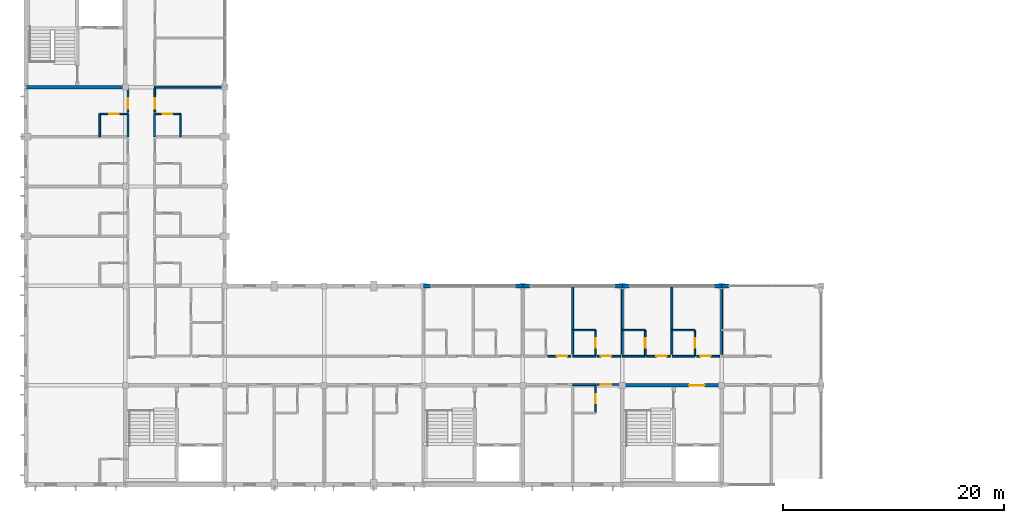
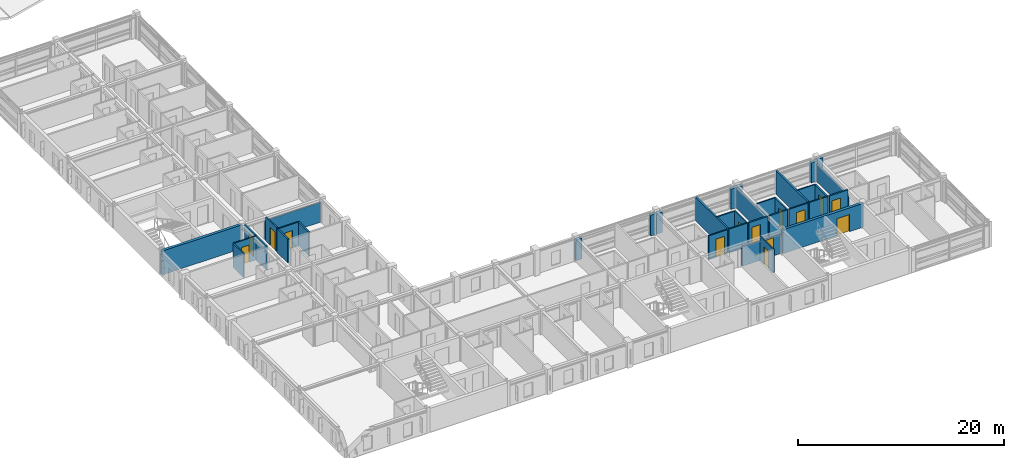
# One storey, part 21 of 37: 38 walls, 14 doors, 14 openings.
"""IFC4 building model written with IfcOpenShell, lengths in metres."""

from ifc_helpers import new_model, si_unit, direction, frame, frame_2d, origin, place, context, subcontext, project, spatial, rectangle, extrude, material, layer, layer_set, type_object, element, fill, save


model = new_model("IFC4")

# Units and contexts
model_context = context("Model", 3, precision=1e-05, world=origin(), true_north=direction((0.0, 1.0)))
body_context = subcontext(model_context, "Body", "Model", "MODEL_VIEW")
ifc_project = project(units=[si_unit("LENGTHUNIT", "METRE"), si_unit("AREAUNIT", "SQUARE_METRE"), si_unit("VOLUMEUNIT", "CUBIC_METRE"), si_unit("PLANEANGLEUNIT", "RADIAN"), si_unit("MASSUNIT", "GRAM", prefix="KILO")], contexts=[model_context])

# Site, building, storey
site_placement = place(None, origin())
site = spatial("IfcSite", under=ifc_project, at=site_placement, CompositionType="ELEMENT")
building_placement = place(site_placement, origin())
building = spatial("IfcBuilding", under=site, at=building_placement, Name="Palais des Congres Ocreval", CompositionType="ELEMENT")
storey_placement = place(building_placement, frame((0.0, 0.0, 11.52001953125)))
storey = spatial("IfcBuildingStorey", under=building, at=storey_placement, Name="L03", CompositionType="ELEMENT", Elevation=11.52001953125)

# Wall, opening, door
ifc_material_1 = material(Name="Moisture-resistant gypsum board")
ifc_layer_1 = layer(ifc_material_1, 0.139892578125)
ifc_layer_set_1 = layer_set([ifc_layer_1], Name="Bathroom Plumbing Chase Wall 140 Gypsum (Moisture-resistant gypsum board)")
wall_type_1 = type_object("IfcWallType", Name="Bathroom Plumbing Chase Wall 140 Gypsum", PredefinedType="PLUMBINGWALL", material=ifc_layer_set_1)
wall_1_placement = place(storey_placement, frame((51.580078125, 6.5, 0.0), z_axis=(0.0, 0.0, 1.0), x_axis=(0.0, 1.0, 0.0)))
wall_1 = element("IfcWall", 1, at=wall_1_placement, inside=storey, type_object=wall_type_1, Name="Bathroom Plumbing Wall PW03 L03", PredefinedType="PLUMBINGWALL", context=body_context, shape_type="SweptSolid", body=[
    extrude(rectangle(XDim=2.56005859375, YDim=0.139892578125, at=frame_2d((1.280029296875, 0.0))), origin(), (0.0, 0.0, 1.0), 2.820068359375),
])
opening_1_placement = place(wall_1_placement, frame((0.85498046875, 0.0, 0.0)))
opening_1 = element("IfcOpeningElement", 2, at=opening_1_placement, cuts=wall_1, Name="Opening D08", PredefinedType="OPENING", context=body_context, shape_type="SweptSolid", body=[
    extrude(rectangle(XDim=0.85009765625, YDim=2.0400390625, at=frame_2d((0.425048828125, 1.02001953125))), frame((0.0, 0.079833984375, 0.0), z_axis=(0.0, -1.0, 0.0), x_axis=(1.0, 0.0, 0.0)), (0.0, 0.0, 1.0), 0.159912109375),
])
ifc_material_2 = material(Name="Solid French oak", Category="wood")
door_type_1 = type_object("IfcDoorType", Name="En-Suite Bathroom Door 850x2040", OperationType="NOTDEFINED", PredefinedType="DOOR", material=ifc_material_2)
door_1_placement = place(opening_1_placement, origin())
door_1 = element("IfcDoor", 3, at=door_1_placement, inside=storey, type_object=door_type_1, Name="En-Suite Bathroom Door D08 L03", OperationType="SINGLE_SWING_LEFT", OverallHeight=2.0400390625, OverallWidth=0.85009765625, PredefinedType="DOOR", context=body_context, shape_type="SweptSolid", body=[
    extrude(rectangle(XDim=0.85009765625, YDim=2.0400390625, at=frame_2d((0.425048828125, 1.02001953125))), frame((0.0, 0.02490234375, 0.0), z_axis=(0.0, -1.0, 0.0), x_axis=(1.0, 0.0, 0.0)), (0.0, 0.0, 1.0), 0.050048828125),
])
fill(opening_1, door_1)

wall_2_placement = place(storey_placement, frame((51.580078125, 11.639892578125, 0.0), z_axis=(0.0, 0.0, 1.0), x_axis=(0.0, 1.0, 0.0)))
wall_2 = element("IfcWall", 4, at=wall_2_placement, inside=storey, type_object=wall_type_1, Name="Bathroom Plumbing Wall PW03 L03", PredefinedType="PLUMBINGWALL", context=body_context, shape_type="SweptSolid", body=[
    extrude(rectangle(XDim=2.360107421875, YDim=0.139892578125, at=frame_2d((1.18017578125, 0.0))), origin(), (0.0, 0.0, 1.0), 2.820068359375),
])
opening_2_placement = place(wall_2_placement, frame((0.7548828125, 0.0, 0.0)))
opening_2 = element("IfcOpeningElement", 5, at=opening_2_placement, cuts=wall_2, Name="Opening D08", PredefinedType="OPENING", context=body_context, shape_type="SweptSolid", body=[
    extrude(rectangle(XDim=0.85009765625, YDim=2.0400390625, at=frame_2d((0.425048828125, 1.02001953125))), frame((0.0, 0.079833984375, 0.0), z_axis=(0.0, -1.0, 0.0), x_axis=(1.0, 0.0, 0.0)), (0.0, 0.0, 1.0), 0.159912109375),
])
door_2_placement = place(opening_2_placement, origin())
door_2 = element("IfcDoor", 6, at=door_2_placement, inside=storey, type_object=door_type_1, Name="En-Suite Bathroom Door D08 L03", OperationType="SINGLE_SWING_LEFT", OverallHeight=2.0400390625, OverallWidth=0.85009765625, PredefinedType="DOOR", context=body_context, shape_type="SweptSolid", body=[
    extrude(rectangle(XDim=0.85009765625, YDim=2.0400390625, at=frame_2d((0.425048828125, 1.02001953125))), frame((0.0, 0.02490234375, 0.0), z_axis=(0.0, -1.0, 0.0), x_axis=(1.0, 0.0, 0.0)), (0.0, 0.0, 1.0), 0.050048828125),
])
fill(opening_2, door_2)

# Wall
wall_3_placement = place(storey_placement, frame((49.52001953125, 14.0, 0.0), z_axis=(0.0, 0.0, 1.0), x_axis=(1.0, 0.0, 0.0)))
element("IfcWall", 7, at=wall_3_placement, inside=storey, type_object=wall_type_1, Name="Bathroom Plumbing Wall PW03 L03", PredefinedType="PLUMBINGWALL", context=body_context, shape_type="SweptSolid", body=[
    extrude(rectangle(XDim=2.06005859375, YDim=0.139892578125, at=frame_2d((1.030029296875, 0.0))), origin(), (0.0, 0.0, 1.0), 2.820068359375),
])

# Wall, opening, door
wall_4_placement = place(storey_placement, frame((56.080078125, 11.639892578125, 0.0), z_axis=(0.0, 0.0, 1.0), x_axis=(0.0, 1.0, 0.0)))
wall_4 = element("IfcWall", 8, at=wall_4_placement, inside=storey, type_object=wall_type_1, Name="Bathroom Plumbing Wall PW03 L03", PredefinedType="PLUMBINGWALL", context=body_context, shape_type="SweptSolid", body=[
    extrude(rectangle(XDim=2.360107421875, YDim=0.139892578125, at=frame_2d((1.18017578125, 0.0))), origin(), (0.0, 0.0, 1.0), 2.820068359375),
])
opening_3_placement = place(wall_4_placement, frame((0.7548828125, 0.0, 0.0)))
opening_3 = element("IfcOpeningElement", 9, at=opening_3_placement, cuts=wall_4, Name="Opening D08", PredefinedType="OPENING", context=body_context, shape_type="SweptSolid", body=[
    extrude(rectangle(XDim=0.85009765625, YDim=2.0400390625, at=frame_2d((0.425048828125, 1.02001953125))), frame((0.0, 0.079833984375, 0.0), z_axis=(0.0, -1.0, 0.0), x_axis=(1.0, 0.0, 0.0)), (0.0, 0.0, 1.0), 0.159912109375),
])
door_3_placement = place(opening_3_placement, origin())
door_3 = element("IfcDoor", 10, at=door_3_placement, inside=storey, type_object=door_type_1, Name="En-Suite Bathroom Door D08 L03", OperationType="SINGLE_SWING_RIGHT", OverallHeight=2.0400390625, OverallWidth=0.85009765625, PredefinedType="DOOR", context=body_context, shape_type="SweptSolid", body=[
    extrude(rectangle(XDim=0.85009765625, YDim=2.0400390625, at=frame_2d((0.425048828125, 1.02001953125))), frame((0.0, 0.02490234375, 0.0), z_axis=(0.0, -1.0, 0.0), x_axis=(1.0, 0.0, 0.0)), (0.0, 0.0, 1.0), 0.050048828125),
])
fill(opening_3, door_3)

# Wall
wall_5_placement = place(storey_placement, frame((54.02001953125, 14.0, 0.0), z_axis=(0.0, 0.0, 1.0), x_axis=(1.0, 0.0, 0.0)))
element("IfcWall", 11, at=wall_5_placement, inside=storey, type_object=wall_type_1, Name="Bathroom Plumbing Wall PW03 L03", PredefinedType="PLUMBINGWALL", context=body_context, shape_type="SweptSolid", body=[
    extrude(rectangle(XDim=2.06005859375, YDim=0.139892578125, at=frame_2d((1.030029296875, 0.0))), origin(), (0.0, 0.0, 1.0), 2.820068359375),
])

# Wall, opening, door
wall_6_placement = place(storey_placement, frame((60.580078125, 11.639892578125, 0.0), z_axis=(0.0, 0.0, 1.0), x_axis=(0.0, 1.0, 0.0)))
wall_6 = element("IfcWall", 12, at=wall_6_placement, inside=storey, type_object=wall_type_1, Name="Bathroom Plumbing Wall PW03 L03", PredefinedType="PLUMBINGWALL", context=body_context, shape_type="SweptSolid", body=[
    extrude(rectangle(XDim=2.360107421875, YDim=0.139892578125, at=frame_2d((1.18017578125, 0.0))), origin(), (0.0, 0.0, 1.0), 2.820068359375),
])
opening_4_placement = place(wall_6_placement, frame((0.7548828125, 0.0, 0.0)))
opening_4 = element("IfcOpeningElement", 13, at=opening_4_placement, cuts=wall_6, Name="Opening D08", PredefinedType="OPENING", context=body_context, shape_type="SweptSolid", body=[
    extrude(rectangle(XDim=0.85009765625, YDim=2.0400390625, at=frame_2d((0.425048828125, 1.02001953125))), frame((0.0, 0.079833984375, 0.0), z_axis=(0.0, -1.0, 0.0), x_axis=(1.0, 0.0, 0.0)), (0.0, 0.0, 1.0), 0.159912109375),
])
door_4_placement = place(opening_4_placement, origin())
door_4 = element("IfcDoor", 14, at=door_4_placement, inside=storey, type_object=door_type_1, Name="En-Suite Bathroom Door D08 L03", OperationType="SINGLE_SWING_LEFT", OverallHeight=2.0400390625, OverallWidth=0.85009765625, PredefinedType="DOOR", context=body_context, shape_type="SweptSolid", body=[
    extrude(rectangle(XDim=0.85009765625, YDim=2.0400390625, at=frame_2d((0.425048828125, 1.02001953125))), frame((0.0, 0.02490234375, 0.0), z_axis=(0.0, -1.0, 0.0), x_axis=(1.0, 0.0, 0.0)), (0.0, 0.0, 1.0), 0.050048828125),
])
fill(opening_4, door_4)

# Wall
wall_7_placement = place(storey_placement, frame((58.52001953125, 14.0, 0.0), z_axis=(0.0, 0.0, 1.0), x_axis=(1.0, 0.0, 0.0)))
element("IfcWall", 15, at=wall_7_placement, inside=storey, type_object=wall_type_1, Name="Bathroom Plumbing Wall PW03 L03", PredefinedType="PLUMBINGWALL", context=body_context, shape_type="SweptSolid", body=[
    extrude(rectangle(XDim=2.06005859375, YDim=0.139892578125, at=frame_2d((1.030029296875, 0.0))), origin(), (0.0, 0.0, 1.0), 2.820068359375),
])

# Wall, opening, door
wall_8_placement = place(storey_placement, frame((6.679931640625, 33.580078125, 0.0), z_axis=(0.0, 0.0, 1.0), x_axis=(1.0, 0.0, 0.0)))
wall_8 = element("IfcWall", 16, at=wall_8_placement, inside=storey, type_object=wall_type_1, Name="Bathroom Plumbing Wall PW03 L03", PredefinedType="PLUMBINGWALL", context=body_context, shape_type="SweptSolid", body=[
    extrude(rectangle(XDim=2.56005859375, YDim=0.139892578125, at=frame_2d((1.280029296875, 0.0))), origin(), (0.0, 0.0, 1.0), 2.820068359375),
])
opening_5_placement = place(wall_8_placement, frame((0.85498046875, 0.0, 0.0)))
opening_5 = element("IfcOpeningElement", 17, at=opening_5_placement, cuts=wall_8, Name="Opening D08", PredefinedType="OPENING", context=body_context, shape_type="SweptSolid", body=[
    extrude(rectangle(XDim=0.85009765625, YDim=2.0400390625, at=frame_2d((0.425048828125, 1.02001953125))), frame((0.0, 0.079833984375, 0.0), z_axis=(0.0, -1.0, 0.0), x_axis=(1.0, 0.0, 0.0)), (0.0, 0.0, 1.0), 0.159912109375),
])
door_5_placement = place(opening_5_placement, origin())
door_5 = element("IfcDoor", 18, at=door_5_placement, inside=storey, type_object=door_type_1, Name="En-Suite Bathroom Door D08 L03", OperationType="SINGLE_SWING_RIGHT", OverallHeight=2.0400390625, OverallWidth=0.85009765625, PredefinedType="DOOR", context=body_context, shape_type="SweptSolid", body=[
    extrude(rectangle(XDim=0.85009765625, YDim=2.0400390625, at=frame_2d((0.425048828125, 1.02001953125))), frame((0.0, 0.02490234375, 0.0), z_axis=(0.0, -1.0, 0.0), x_axis=(1.0, 0.0, 0.0)), (0.0, 0.0, 1.0), 0.050048828125),
])
fill(opening_5, door_5)

# Wall
wall_9_placement = place(storey_placement, frame((6.679931640625, 31.52001953125, 0.0), z_axis=(0.0, 0.0, 1.0), x_axis=(0.0, 1.0, 0.0)))
element("IfcWall", 19, at=wall_9_placement, inside=storey, type_object=wall_type_1, Name="Bathroom Plumbing Wall PW03 L03", PredefinedType="PLUMBINGWALL", context=body_context, shape_type="SweptSolid", body=[
    extrude(rectangle(XDim=2.06005859375, YDim=0.139892578125, at=frame_2d((1.030029296875, 0.0))), origin(), (0.0, 0.0, 1.0), 2.820068359375),
])

# Wall, opening, door
wall_10_placement = place(storey_placement, frame((11.639892578125, 33.580078125, 0.0), z_axis=(0.0, 0.0, 1.0), x_axis=(1.0, 0.0, 0.0)))
wall_10 = element("IfcWall", 20, at=wall_10_placement, inside=storey, type_object=wall_type_1, Name="Bathroom Plumbing Wall PW03 L03", PredefinedType="PLUMBINGWALL", context=body_context, shape_type="SweptSolid", body=[
    extrude(rectangle(XDim=2.360107421875, YDim=0.139892578125, at=frame_2d((1.18017578125, 0.0))), origin(), (0.0, 0.0, 1.0), 2.820068359375),
])
opening_6_placement = place(wall_10_placement, frame((0.7548828125, 0.0, 0.0)))
opening_6 = element("IfcOpeningElement", 21, at=opening_6_placement, cuts=wall_10, Name="Opening D08", PredefinedType="OPENING", context=body_context, shape_type="SweptSolid", body=[
    extrude(rectangle(XDim=0.85009765625, YDim=2.0400390625, at=frame_2d((0.425048828125, 1.02001953125))), frame((0.0, 0.079833984375, 0.0), z_axis=(0.0, -1.0, 0.0), x_axis=(1.0, 0.0, 0.0)), (0.0, 0.0, 1.0), 0.159912109375),
])
door_6_placement = place(opening_6_placement, origin())
door_6 = element("IfcDoor", 22, at=door_6_placement, inside=storey, type_object=door_type_1, Name="En-Suite Bathroom Door D08 L03", OperationType="SINGLE_SWING_RIGHT", OverallHeight=2.0400390625, OverallWidth=0.85009765625, PredefinedType="DOOR", context=body_context, shape_type="SweptSolid", body=[
    extrude(rectangle(XDim=0.85009765625, YDim=2.0400390625, at=frame_2d((0.425048828125, 1.02001953125))), frame((0.0, 0.02490234375, 0.0), z_axis=(0.0, -1.0, 0.0), x_axis=(1.0, 0.0, 0.0)), (0.0, 0.0, 1.0), 0.050048828125),
])
fill(opening_6, door_6)

# Walls
wall_11_placement = place(storey_placement, frame((14.0, 31.52001953125, 0.0), z_axis=(0.0, 0.0, 1.0), x_axis=(0.0, 1.0, 0.0)))
element("IfcWall", 23, at=wall_11_placement, inside=storey, type_object=wall_type_1, Name="Bathroom Plumbing Wall PW03 L03", PredefinedType="PLUMBINGWALL", context=body_context, shape_type="SweptSolid", body=[
    extrude(rectangle(XDim=2.06005859375, YDim=0.139892578125, at=frame_2d((1.030029296875, 0.0))), origin(), (0.0, 0.0, 1.0), 2.820068359375),
])
ifc_material_3 = material(Name="Concrete C40/50", Category="concrete")
ifc_layer_2 = layer(ifc_material_3, 0.300048828125)
ifc_layer_set_2 = layer_set([ifc_layer_2], Name="Core Shear Wall 300 Concrete C40/50")
wall_type_2 = type_object("IfcWallType", Name="Core Shear Wall 300 Concrete C40/50", PredefinedType="SHEAR", material=ifc_layer_set_2)
wall_12_placement = place(storey_placement, frame((0.0, 36.0, 0.0), z_axis=(0.0, 0.0, 1.0), x_axis=(1.0, 0.0, 0.0)))
element("IfcWall", 24, at=wall_12_placement, inside=storey, type_object=wall_type_2, Name="Core Shear Wall SC03 L03 S", PredefinedType="SHEAR", context=body_context, shape_type="SweptSolid", body=[
    extrude(rectangle(XDim=9.0, YDim=0.300048828125, at=frame_2d((4.5, 0.0))), origin(), (0.0, 0.0, 1.0), 2.820068359375),
])

# Wall, opening, door
wall_13_placement = place(storey_placement, frame((54.0, 9.0, 0.0), z_axis=(0.0, 0.0, 1.0), x_axis=(1.0, 0.0, 0.0)))
wall_13 = element("IfcWall", 25, at=wall_13_placement, inside=storey, type_object=wall_type_2, Name="Core Shear Wall SC04 L03 N", PredefinedType="SHEAR", context=body_context, shape_type="SweptSolid", body=[
    extrude(rectangle(XDim=9.0, YDim=0.300048828125, at=frame_2d((4.5, 0.0))), origin(), (0.0, 0.0, 1.0), 2.820068359375),
])
opening_7_placement = place(wall_13_placement, frame((6.050048828125, 0.0, 0.0)))
opening_7 = element("IfcOpeningElement", 26, at=opening_7_placement, cuts=wall_13, Name="Opening D03", PredefinedType="OPENING", context=body_context, shape_type="SweptSolid", body=[
    extrude(rectangle(XDim=1.39990234375, YDim=2.02001953125, at=frame_2d((0.699951171875, 1.010009765625))), frame((0.0, 0.159912109375, 0.0), z_axis=(0.0, -1.0, 0.0), x_axis=(1.0, 0.0, 0.0)), (0.0, 0.0, 1.0), 0.320068359375),
])
ifc_material_4 = material(Name="Painted fire-rated steel", Category="steel")
door_type_2 = type_object("IfcDoorType", Name="Core Lobby Rated Door 1400x2020", OperationType="NOTDEFINED", PredefinedType="DOOR", material=ifc_material_4)
door_7_placement = place(opening_7_placement, origin())
door_7 = element("IfcDoor", 27, at=door_7_placement, inside=storey, type_object=door_type_2, Name="Lobby Entrance Door SC04 L03", OperationType="DOUBLE_DOOR_SINGLE_SWING", OverallHeight=2.02001953125, OverallWidth=1.39990234375, PredefinedType="DOOR", context=body_context, shape_type="SweptSolid", body=[
    extrude(rectangle(XDim=1.39990234375, YDim=2.02001953125, at=frame_2d((0.699951171875, 1.010009765625))), frame((0.0, 0.02490234375, 0.0), z_axis=(0.0, -1.0, 0.0), x_axis=(1.0, 0.0, 0.0)), (0.0, 0.0, 1.0), 0.050048828125),
])
fill(opening_7, door_7)

# Walls
ifc_material_5 = material(Name="Gypsum acoustic partition")
ifc_layer_3 = layer(ifc_material_5, 0.159912109375)
ifc_layer_set_3 = layer_set([ifc_layer_3], Name="Corridor Fire Partition 160 Gypsum (Gypsum acoustic partition)")
wall_type_3 = type_object("IfcWallType", Name="Corridor Fire Partition 160 Gypsum", PredefinedType="PARTITIONING", material=ifc_layer_set_3)
wall_14_placement = place(storey_placement, frame((49.52001953125, 9.06005859375, 0.0), z_axis=(0.0, 0.0, 1.0), x_axis=(1.0, 0.0, 0.0)))
element("IfcWall", 28, at=wall_14_placement, inside=storey, type_object=wall_type_3, Name="Corridor Partition IW03 L03", PredefinedType="PARTITIONING", context=body_context, shape_type="SweptSolid", body=[
    extrude(rectangle(XDim=2.06005859375, YDim=0.159912109375, at=frame_2d((1.030029296875, 0.0))), origin(), (0.0, 0.0, 1.0), 2.2900390625),
])
for number, where, z_axis, x_axis, name in (
    (29, (49.52001953125, 11.639892578125, 0.0), (0.0, 0.0, 1.0), (1.0, 0.0, 0.0), "Corridor Partition IW03 L03"),
    (30, (54.02001953125, 11.639892578125, 0.0), (0.0, 0.0, 1.0), (1.0, 0.0, 0.0), "Corridor Partition IW03 L03"),
    (31, (58.52001953125, 11.639892578125, 0.0), (0.0, 0.0, 1.0), (1.0, 0.0, 0.0), "Corridor Partition IW03 L03"),
    (32, (9.239990234375, 31.52001953125, 0.0), (0.0, 0.0, 1.0), (0.0, 1.0, 0.0), "Corridor Partition IW03 L03"),
    (33, (11.639892578125, 31.52001953125, 0.0), (0.0, 0.0, 1.0), (0.0, 1.0, 0.0), "Corridor Partition IW03 L03"),
):
    element("IfcWall", number, at=place(storey_placement, frame(where, z_axis=z_axis, x_axis=x_axis)), inside=storey, type_object=wall_type_3, Name=name, PredefinedType="PARTITIONING", context=body_context, shape_type="SweptSolid", body=[
        extrude(rectangle(XDim=2.06005859375, YDim=0.159912109375, at=frame_2d((1.030029296875, 0.0))), origin(), (0.0, 0.0, 1.0), 2.820068359375),
    ])

# Wall, opening, door
wall_15_placement = place(storey_placement, frame((51.735107421875, 9.06494140625, 0.0), z_axis=(0.0, 0.0, 1.0), x_axis=(1.0, 0.0, 0.0)))
wall_15 = element("IfcWall", 34, at=wall_15_placement, inside=storey, type_object=wall_type_3, Name="Interior Partition IW03 L03", PredefinedType="PARTITIONING", context=body_context, shape_type="SweptSolid", body=[
    extrude(rectangle(XDim=2.10986328125, YDim=0.159912109375, at=frame_2d((1.054931640625, 0.0))), origin(), (0.0, 0.0, 1.0), 2.2900390625),
])
opening_8_placement = place(wall_15_placement, frame((0.326904296875, 0.0, 0.0)))
opening_8 = element("IfcOpeningElement", 35, at=opening_8_placement, cuts=wall_15, Name="Opening D05", PredefinedType="OPENING", context=body_context, shape_type="SweptSolid", body=[
    extrude(rectangle(XDim=0.949951171875, YDim=2.14990234375, at=frame_2d((0.47509765625, 1.074951171875))), frame((0.0, 0.08984375, 0.0), z_axis=(0.0, -1.0, 0.0), x_axis=(1.0, 0.0, 0.0)), (0.0, 0.0, 1.0), 0.179931640625),
])
door_type_3 = type_object("IfcDoorType", Name="Hotel Guestroom Entrance Door 950x2150", OperationType="NOTDEFINED", PredefinedType="DOOR", material=ifc_material_2)
door_8_placement = place(opening_8_placement, origin())
door_8 = element("IfcDoor", 36, at=door_8_placement, inside=storey, type_object=door_type_3, Name="Interior Door D05 L03", OperationType="SINGLE_SWING_RIGHT", OverallHeight=2.14990234375, OverallWidth=0.949951171875, PredefinedType="DOOR", context=body_context, shape_type="SweptSolid", body=[
    extrude(rectangle(XDim=0.949951171875, YDim=2.14990234375, at=frame_2d((0.47509765625, 1.074951171875))), frame((0.0, 0.02490234375, 0.0), z_axis=(0.0, -1.0, 0.0), x_axis=(1.0, 0.0, 0.0)), (0.0, 0.0, 1.0), 0.050048828125),
])
fill(opening_8, door_8)

wall_16_placement = place(storey_placement, frame((47.235107421875, 11.635009765625, 0.0), z_axis=(0.0, 0.0, 1.0), x_axis=(1.0, 0.0, 0.0)))
wall_16 = element("IfcWall", 37, at=wall_16_placement, inside=storey, type_object=wall_type_3, Name="Interior Partition IW03 L03", PredefinedType="PARTITIONING", context=body_context, shape_type="SweptSolid", body=[
    extrude(rectangle(XDim=2.10986328125, YDim=0.159912109375, at=frame_2d((1.054931640625, 0.0))), origin(), (0.0, 0.0, 1.0), 2.820068359375),
])
opening_9_placement = place(wall_16_placement, frame((0.833251953125, 0.0, 0.0)))
opening_9 = element("IfcOpeningElement", 38, at=opening_9_placement, cuts=wall_16, Name="Opening D05", PredefinedType="OPENING", context=body_context, shape_type="SweptSolid", body=[
    extrude(rectangle(XDim=0.949951171875, YDim=2.14990234375, at=frame_2d((0.47509765625, 1.074951171875))), frame((0.0, 0.08984375, 0.0), z_axis=(0.0, -1.0, 0.0), x_axis=(1.0, 0.0, 0.0)), (0.0, 0.0, 1.0), 0.179931640625),
])
door_9_placement = place(opening_9_placement, origin())
door_9 = element("IfcDoor", 39, at=door_9_placement, inside=storey, type_object=door_type_3, Name="Interior Door D05 L03", OperationType="SINGLE_SWING_LEFT", OverallHeight=2.14990234375, OverallWidth=0.949951171875, PredefinedType="DOOR", context=body_context, shape_type="SweptSolid", body=[
    extrude(rectangle(XDim=0.949951171875, YDim=2.14990234375, at=frame_2d((0.47509765625, 1.074951171875))), frame((0.0, 0.02490234375, 0.0), z_axis=(0.0, -1.0, 0.0), x_axis=(1.0, 0.0, 0.0)), (0.0, 0.0, 1.0), 0.050048828125),
])
fill(opening_9, door_9)

wall_17_placement = place(storey_placement, frame((51.735107421875, 11.635009765625, 0.0), z_axis=(0.0, 0.0, 1.0), x_axis=(1.0, 0.0, 0.0)))
wall_17 = element("IfcWall", 40, at=wall_17_placement, inside=storey, type_object=wall_type_3, Name="Interior Partition IW03 L03", PredefinedType="PARTITIONING", context=body_context, shape_type="SweptSolid", body=[
    extrude(rectangle(XDim=2.10986328125, YDim=0.159912109375, at=frame_2d((1.054931640625, 0.0))), origin(), (0.0, 0.0, 1.0), 2.820068359375),
])
opening_10_placement = place(wall_17_placement, frame((0.326904296875, 0.0, 0.0)))
opening_10 = element("IfcOpeningElement", 41, at=opening_10_placement, cuts=wall_17, Name="Opening D05", PredefinedType="OPENING", context=body_context, shape_type="SweptSolid", body=[
    extrude(rectangle(XDim=0.949951171875, YDim=2.14990234375, at=frame_2d((0.47509765625, 1.074951171875))), frame((0.0, 0.08984375, 0.0), z_axis=(0.0, -1.0, 0.0), x_axis=(1.0, 0.0, 0.0)), (0.0, 0.0, 1.0), 0.179931640625),
])
door_10_placement = place(opening_10_placement, origin())
door_10 = element("IfcDoor", 42, at=door_10_placement, inside=storey, type_object=door_type_3, Name="Interior Door D05 L03", OperationType="SINGLE_SWING_RIGHT", OverallHeight=2.14990234375, OverallWidth=0.949951171875, PredefinedType="DOOR", context=body_context, shape_type="SweptSolid", body=[
    extrude(rectangle(XDim=0.949951171875, YDim=2.14990234375, at=frame_2d((0.47509765625, 1.074951171875))), frame((0.0, 0.02490234375, 0.0), z_axis=(0.0, -1.0, 0.0), x_axis=(1.0, 0.0, 0.0)), (0.0, 0.0, 1.0), 0.050048828125),
])
fill(opening_10, door_10)

wall_18_placement = place(storey_placement, frame((56.235107421875, 11.635009765625, 0.0), z_axis=(0.0, 0.0, 1.0), x_axis=(1.0, 0.0, 0.0)))
wall_18 = element("IfcWall", 43, at=wall_18_placement, inside=storey, type_object=wall_type_3, Name="Interior Partition IW03 L03", PredefinedType="PARTITIONING", context=body_context, shape_type="SweptSolid", body=[
    extrude(rectangle(XDim=2.10986328125, YDim=0.159912109375, at=frame_2d((1.054931640625, 0.0))), origin(), (0.0, 0.0, 1.0), 2.820068359375),
])
opening_11_placement = place(wall_18_placement, frame((0.833251953125, 0.0, 0.0)))
opening_11 = element("IfcOpeningElement", 44, at=opening_11_placement, cuts=wall_18, Name="Opening D05", PredefinedType="OPENING", context=body_context, shape_type="SweptSolid", body=[
    extrude(rectangle(XDim=0.949951171875, YDim=2.14990234375, at=frame_2d((0.47509765625, 1.074951171875))), frame((0.0, 0.08984375, 0.0), z_axis=(0.0, -1.0, 0.0), x_axis=(1.0, 0.0, 0.0)), (0.0, 0.0, 1.0), 0.179931640625),
])
door_11_placement = place(opening_11_placement, origin())
door_11 = element("IfcDoor", 45, at=door_11_placement, inside=storey, type_object=door_type_3, Name="Interior Door D05 L03", OperationType="SINGLE_SWING_LEFT", OverallHeight=2.14990234375, OverallWidth=0.949951171875, PredefinedType="DOOR", context=body_context, shape_type="SweptSolid", body=[
    extrude(rectangle(XDim=0.949951171875, YDim=2.14990234375, at=frame_2d((0.47509765625, 1.074951171875))), frame((0.0, 0.02490234375, 0.0), z_axis=(0.0, -1.0, 0.0), x_axis=(1.0, 0.0, 0.0)), (0.0, 0.0, 1.0), 0.050048828125),
])
fill(opening_11, door_11)

wall_19_placement = place(storey_placement, frame((60.735107421875, 11.635009765625, 0.0), z_axis=(0.0, 0.0, 1.0), x_axis=(1.0, 0.0, 0.0)))
wall_19 = element("IfcWall", 46, at=wall_19_placement, inside=storey, type_object=wall_type_3, Name="Interior Partition IW03 L03", PredefinedType="PARTITIONING", context=body_context, shape_type="SweptSolid", body=[
    extrude(rectangle(XDim=2.10986328125, YDim=0.159912109375, at=frame_2d((1.054931640625, 0.0))), origin(), (0.0, 0.0, 1.0), 2.820068359375),
])
opening_12_placement = place(wall_19_placement, frame((0.326904296875, 0.0, 0.0)))
opening_12 = element("IfcOpeningElement", 47, at=opening_12_placement, cuts=wall_19, Name="Opening D05", PredefinedType="OPENING", context=body_context, shape_type="SweptSolid", body=[
    extrude(rectangle(XDim=0.949951171875, YDim=2.14990234375, at=frame_2d((0.47509765625, 1.074951171875))), frame((0.0, 0.08984375, 0.0), z_axis=(0.0, -1.0, 0.0), x_axis=(1.0, 0.0, 0.0)), (0.0, 0.0, 1.0), 0.179931640625),
])
door_12_placement = place(opening_12_placement, origin())
door_12 = element("IfcDoor", 48, at=door_12_placement, inside=storey, type_object=door_type_3, Name="Interior Door D05 L03", OperationType="SINGLE_SWING_RIGHT", OverallHeight=2.14990234375, OverallWidth=0.949951171875, PredefinedType="DOOR", context=body_context, shape_type="SweptSolid", body=[
    extrude(rectangle(XDim=0.949951171875, YDim=2.14990234375, at=frame_2d((0.47509765625, 1.074951171875))), frame((0.0, 0.02490234375, 0.0), z_axis=(0.0, -1.0, 0.0), x_axis=(1.0, 0.0, 0.0)), (0.0, 0.0, 1.0), 0.050048828125),
])
fill(opening_12, door_12)

wall_20_placement = place(storey_placement, frame((9.25, 33.735107421875, 0.0), z_axis=(0.0, 0.0, 1.0), x_axis=(0.0, 1.0, 0.0)))
wall_20 = element("IfcWall", 49, at=wall_20_placement, inside=storey, type_object=wall_type_3, Name="Interior Partition IW03 L03", PredefinedType="PARTITIONING", context=body_context, shape_type="SweptSolid", body=[
    extrude(rectangle(XDim=2.10986328125, YDim=0.159912109375, at=frame_2d((1.054931640625, 0.0))), origin(), (0.0, 0.0, 1.0), 2.820068359375),
])
opening_13_placement = place(wall_20_placement, frame((0.326904296875, 0.0, 0.0)))
opening_13 = element("IfcOpeningElement", 50, at=opening_13_placement, cuts=wall_20, Name="Opening D05", PredefinedType="OPENING", context=body_context, shape_type="SweptSolid", body=[
    extrude(rectangle(XDim=0.949951171875, YDim=2.14990234375, at=frame_2d((0.47509765625, 1.074951171875))), frame((0.0, 0.08984375, 0.0), z_axis=(0.0, -1.0, 0.0), x_axis=(1.0, 0.0, 0.0)), (0.0, 0.0, 1.0), 0.179931640625),
])
door_13_placement = place(opening_13_placement, origin())
door_13 = element("IfcDoor", 51, at=door_13_placement, inside=storey, type_object=door_type_3, Name="Interior Door D05 L03", OperationType="SINGLE_SWING_RIGHT", OverallHeight=2.14990234375, OverallWidth=0.949951171875, PredefinedType="DOOR", context=body_context, shape_type="SweptSolid", body=[
    extrude(rectangle(XDim=0.949951171875, YDim=2.14990234375, at=frame_2d((0.47509765625, 1.074951171875))), frame((0.0, 0.02490234375, 0.0), z_axis=(0.0, -1.0, 0.0), x_axis=(1.0, 0.0, 0.0)), (0.0, 0.0, 1.0), 0.050048828125),
])
fill(opening_13, door_13)

wall_21_placement = place(storey_placement, frame((11.669921875, 33.735107421875, 0.0), z_axis=(0.0, 0.0, 1.0), x_axis=(0.0, 1.0, 0.0)))
wall_21 = element("IfcWall", 52, at=wall_21_placement, inside=storey, type_object=wall_type_3, Name="Interior Partition IW03 L03", PredefinedType="PARTITIONING", context=body_context, shape_type="SweptSolid", body=[
    extrude(rectangle(XDim=2.10986328125, YDim=0.159912109375, at=frame_2d((1.054931640625, 0.0))), origin(), (0.0, 0.0, 1.0), 2.820068359375),
])
opening_14_placement = place(wall_21_placement, frame((0.326904296875, 0.0, 0.0)))
opening_14 = element("IfcOpeningElement", 53, at=opening_14_placement, cuts=wall_21, Name="Opening D05", PredefinedType="OPENING", context=body_context, shape_type="SweptSolid", body=[
    extrude(rectangle(XDim=0.949951171875, YDim=2.14990234375, at=frame_2d((0.47509765625, 1.074951171875))), frame((0.0, 0.08984375, 0.0), z_axis=(0.0, -1.0, 0.0), x_axis=(1.0, 0.0, 0.0)), (0.0, 0.0, 1.0), 0.179931640625),
])
door_14_placement = place(opening_14_placement, origin())
door_14 = element("IfcDoor", 54, at=door_14_placement, inside=storey, type_object=door_type_3, Name="Interior Door D05 L03", OperationType="SINGLE_SWING_RIGHT", OverallHeight=2.14990234375, OverallWidth=0.949951171875, PredefinedType="DOOR", context=body_context, shape_type="SweptSolid", body=[
    extrude(rectangle(XDim=0.949951171875, YDim=2.14990234375, at=frame_2d((0.47509765625, 1.074951171875))), frame((0.0, 0.02490234375, 0.0), z_axis=(0.0, -1.0, 0.0), x_axis=(1.0, 0.0, 0.0)), (0.0, 0.0, 1.0), 0.050048828125),
])
fill(opening_14, door_14)

# Walls
ifc_layer_4 = layer(ifc_material_5, 0.179931640625)
ifc_layer_set_4 = layer_set([ifc_layer_4], Name="Hotel Inter-Room Acoustic Partition 180 Gypsum (Gypsum acoustic partition)")
wall_type_4 = type_object("IfcWallType", Name="Hotel Inter-Room Acoustic Partition 180 Gypsum", PredefinedType="PARTITIONING", material=ifc_layer_set_4)
wall_22_placement = place(storey_placement, frame((49.5, 11.794921875, 0.0), z_axis=(0.0, 0.0, 1.0), x_axis=(0.0, 1.0, 0.0)))
element("IfcWall", 55, at=wall_22_placement, inside=storey, type_object=wall_type_4, Name="Hotel Party Partition IW02 L03", PredefinedType="PARTITIONING", context=body_context, shape_type="SweptSolid", body=[
    extrude(rectangle(XDim=6.110107421875, YDim=0.179931640625, at=frame_2d((3.05517578125, 0.0))), origin(), (0.0, 0.0, 1.0), 2.820068359375),
])
wall_23_placement = place(storey_placement, frame((54.0, 11.794921875, 0.0), z_axis=(0.0, 0.0, 1.0), x_axis=(0.0, 1.0, 0.0)))
element("IfcWall", 56, at=wall_23_placement, inside=storey, type_object=wall_type_4, Name="Hotel Party Partition IW02 L03", PredefinedType="PARTITIONING", context=body_context, shape_type="SweptSolid", body=[
    extrude(rectangle(XDim=6.030029296875, YDim=0.179931640625, at=frame_2d((3.01513671875, 0.0))), origin(), (0.0, 0.0, 1.0), 2.3798828125),
])
wall_24_placement = place(storey_placement, frame((58.5, 11.794921875, 0.0), z_axis=(0.0, 0.0, 1.0), x_axis=(0.0, 1.0, 0.0)))
element("IfcWall", 57, at=wall_24_placement, inside=storey, type_object=wall_type_4, Name="Hotel Party Partition IW02 L03", PredefinedType="PARTITIONING", context=body_context, shape_type="SweptSolid", body=[
    extrude(rectangle(XDim=6.110107421875, YDim=0.179931640625, at=frame_2d((3.05517578125, 0.0))), origin(), (0.0, 0.0, 1.0), 2.820068359375),
])
wall_25_placement = place(storey_placement, frame((63.0, 11.794921875, 0.0), z_axis=(0.0, 0.0, 1.0), x_axis=(0.0, 1.0, 0.0)))
element("IfcWall", 58, at=wall_25_placement, inside=storey, type_object=wall_type_4, Name="Hotel Party Partition IW02 L03", PredefinedType="PARTITIONING", context=body_context, shape_type="SweptSolid", body=[
    extrude(rectangle(XDim=6.030029296875, YDim=0.179931640625, at=frame_2d((3.01513671875, 0.0))), origin(), (0.0, 0.0, 1.0), 2.090087890625),
])
wall_26_placement = place(storey_placement, frame((11.6201171875, 36.0, 0.0), z_axis=(0.0, 0.0, 1.0), x_axis=(1.0, 0.0, 0.0)))
element("IfcWall", 59, at=wall_26_placement, inside=storey, type_object=wall_type_4, Name="Hotel Party Partition IW02 L03", PredefinedType="PARTITIONING", context=body_context, shape_type="SweptSolid", body=[
    extrude(rectangle(XDim=6.204833984375, YDim=0.179931640625, at=frame_2d((3.1025390625, 0.0))), origin(), (0.0, 0.0, 1.0), 2.340087890625),
])
ifc_layer_5 = layer(ifc_material_3, 0.340087890625)
ifc_layer_set_5 = layer_set([ifc_layer_5], Name="Ochre Mineral-Lime Courtyard Wall 340 Concrete C40/50")
wall_type_5 = type_object("IfcWallType", Name="Ochre Mineral-Lime Courtyard Wall 340 Concrete C40/50", PredefinedType="SOLIDWALL", material=ifc_layer_set_5)
for number, where, z_axis, x_axis, name in (
    (60, (36.0, 18.0, 0.0), (0.0, 0.0, 1.0), (1.0, 0.0, 0.0), "Facade Pier EW04 L03"),
    (61, (44.35009765625, 18.0, 0.0), (0.0, 0.0, 1.0), (1.0, 0.0, 0.0), "Facade Pier EW04 L03"),
):
    element("IfcWall", number, at=place(storey_placement, frame(where, z_axis=z_axis, x_axis=x_axis)), inside=storey, type_object=wall_type_5, Name=name, PredefinedType="SOLIDWALL", context=body_context, shape_type="SweptSolid", body=[
        extrude(rectangle(XDim=0.64990234375, YDim=0.340087890625, at=frame_2d((0.324951171875, 0.0))), origin(), (0.0, 0.0, 1.0), 2.47998046875),
    ])
for number, where, z_axis, x_axis, name in (
    (62, (45.0, 18.0, 0.0), (0.0, 0.0, 1.0), (1.0, 0.0, 0.0), "Facade Pier EW04 L03"),
    (63, (53.35009765625, 18.0, 0.0), (0.0, 0.0, 1.0), (1.0, 0.0, 0.0), "Facade Pier EW04 L03"),
):
    element("IfcWall", number, at=place(storey_placement, frame(where, z_axis=z_axis, x_axis=x_axis)), inside=storey, type_object=wall_type_5, Name=name, PredefinedType="SOLIDWALL", context=body_context, shape_type="SweptSolid", body=[
        extrude(rectangle(XDim=0.64990234375, YDim=0.340087890625, at=frame_2d((0.324951171875, 0.0))), origin(), (0.0, 0.0, 1.0), 2.419921875),
    ])
for number, where, z_axis, x_axis, name in (
    (64, (54.0, 18.0, 0.0), (0.0, 0.0, 1.0), (1.0, 0.0, 0.0), "Facade Pier EW04 L03"),
    (65, (62.35009765625, 18.0, 0.0), (0.0, 0.0, 1.0), (1.0, 0.0, 0.0), "Facade Pier EW04 L03"),
):
    element("IfcWall", number, at=place(storey_placement, frame(where, z_axis=z_axis, x_axis=x_axis)), inside=storey, type_object=wall_type_5, Name=name, PredefinedType="SOLIDWALL", context=body_context, shape_type="SweptSolid", body=[
        extrude(rectangle(XDim=0.64990234375, YDim=0.340087890625, at=frame_2d((0.324951171875, 0.0))), origin(), (0.0, 0.0, 1.0), 2.3798828125),
    ])
wall_27_placement = place(storey_placement, frame((63.0, 18.0, 0.0), z_axis=(0.0, 0.0, 1.0), x_axis=(1.0, 0.0, 0.0)))
element("IfcWall", 66, at=wall_27_placement, inside=storey, type_object=wall_type_5, Name="Facade Pier EW04 L03", PredefinedType="SOLIDWALL", context=body_context, shape_type="SweptSolid", body=[
    extrude(rectangle(XDim=0.64990234375, YDim=0.340087890625, at=frame_2d((0.324951171875, 0.0))), origin(), (0.0, 0.0, 1.0), 2.550048828125),
])

save(model, "model.ifc")
